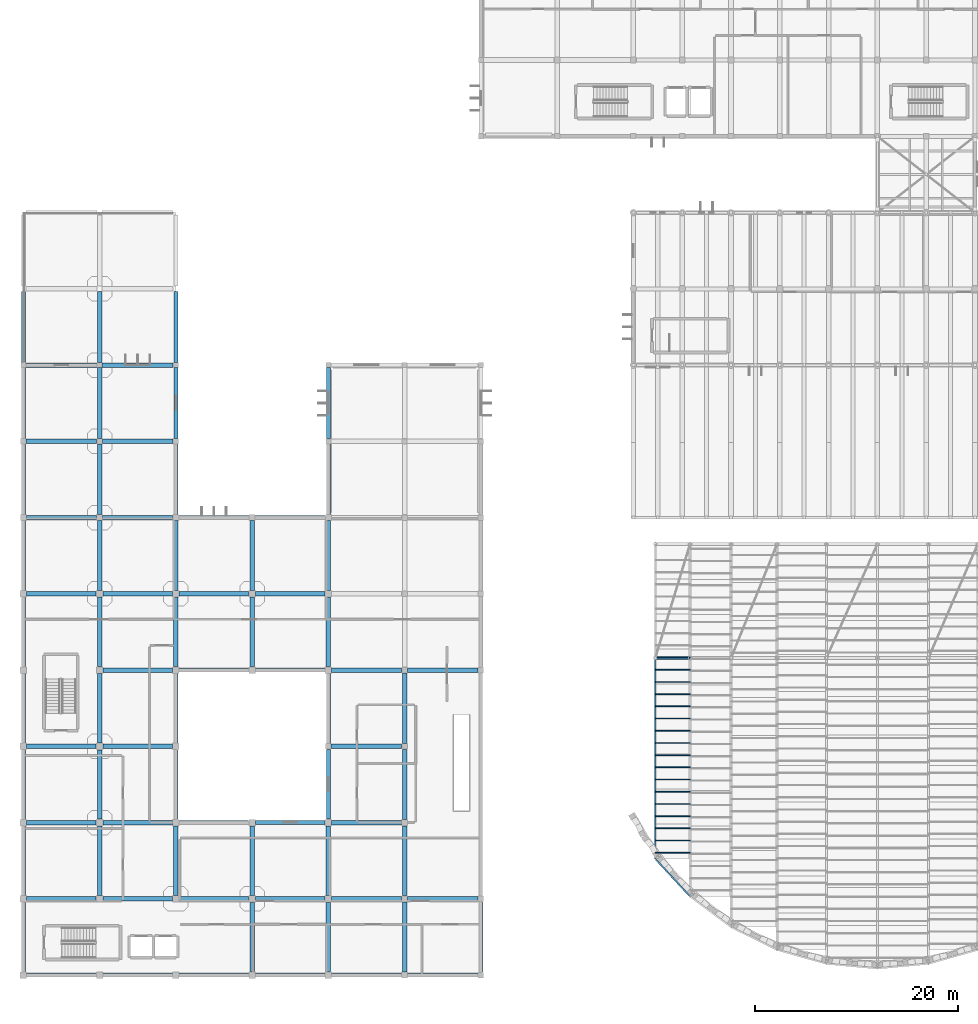
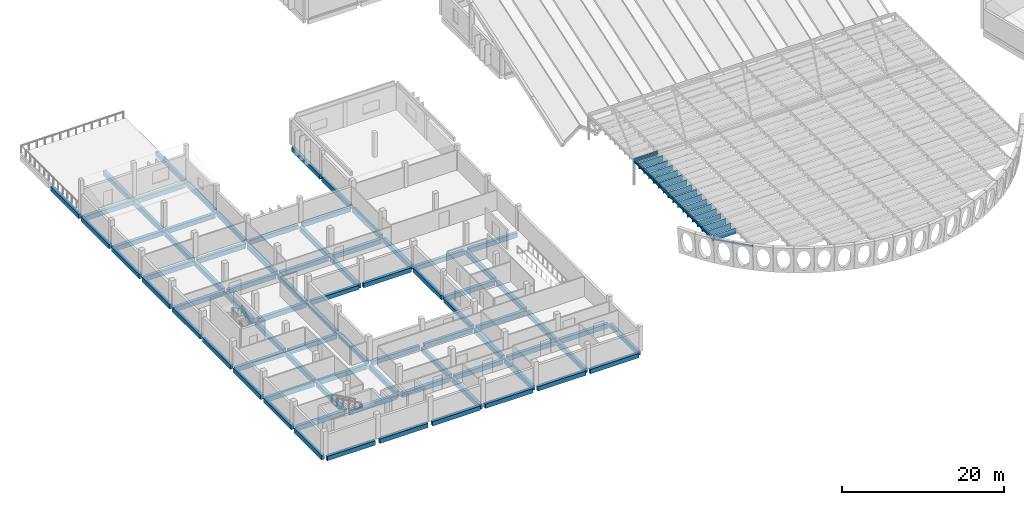
# One storey, part 12 of 47: 81 beams, 18 members.
"""IFC4 building model written with IfcOpenShell, lengths in metres."""

from ifc_helpers import new_model, si_unit, direction, frame, origin, origin_2d, place, context, subcontext, project, spatial, rectangle, hollow_rectangle, i_section, extrude, material, material_profile, profile_set, type_object, element, save


model = new_model("IFC4")

# Units and contexts
model_context = context("Model", 3, precision=1e-05, world=origin(), true_north=direction((0.0, 1.0)))
body_context = subcontext(model_context, "Body", "Model", "MODEL_VIEW")
ifc_project = project(units=[si_unit("LENGTHUNIT", "METRE"), si_unit("AREAUNIT", "SQUARE_METRE"), si_unit("VOLUMEUNIT", "CUBIC_METRE"), si_unit("PLANEANGLEUNIT", "RADIAN"), si_unit("MASSUNIT", "GRAM", prefix="KILO")], contexts=[model_context])

# Site, building, storey
site_placement = place(None, origin())
site = spatial("IfcSite", under=ifc_project, at=site_placement, CompositionType="ELEMENT")
building_placement = place(site_placement, origin())
building = spatial("IfcBuilding", under=site, at=building_placement, Name="Mawjan Specialist Oncology Clinic", CompositionType="ELEMENT")
storey_placement = place(building_placement, frame((0.0, 0.0, 9.5)))
storey = spatial("IfcBuildingStorey", under=building, at=storey_placement, Name="L02", CompositionType="ELEMENT", Elevation=9.5)

# Beams
ifc_material_1 = material(Name="Concrete C40/50", Category="concrete")
ifc_material_profile_1 = material_profile(ifc_material_1, rectangle(XDim=0.449951171875, YDim=0.699951171875, at=origin_2d()), Name="RC BM 450x700", Category="concrete")
ifc_profile_set_1 = profile_set([ifc_material_profile_1], Name="Concrete C40/50")
beam_type_1 = type_object("IfcBeamType", Name="BM-450x700", PredefinedType="BEAM", material=ifc_profile_set_1)
for number, where, z_axis, x_axis, name in (
    (1, (0.3349609375, 8.300048828125, -0.64990234375), (1.0, 0.0, 0.0), (0.0, 1.0, 0.0), "L02 Collector Beam BM-L02-0643"),
    (2, (7.8349609375, 8.300048828125, -0.8701171875), (1.0, 0.0, 0.0), (0.0, 1.0, 0.0), "L02 Collector Beam BM-L02-0644"),
    (3, (15.3349609375, 8.300048828125, -0.8701171875), (1.0, 0.0, 0.0), (0.0, 1.0, 0.0), "L02 Collector Beam BM-L02-0645"),
    (4, (22.8349609375, 8.300048828125, -0.8701171875), (1.0, 0.0, 0.0), (0.0, 1.0, 0.0), "L02 Collector Beam BM-L02-0646"),
):
    element("IfcBeam", number, at=place(storey_placement, frame(where, z_axis=z_axis, x_axis=x_axis)), inside=storey, type_object=beam_type_1, Name=name, PredefinedType="BEAM", context=body_context, shape_type="SweptSolid", body=[
        extrude(rectangle(XDim=0.449951171875, YDim=0.699951171875, at=origin_2d()), origin(), (0.0, 0.0, 1.0), 6.830078125),
    ])
beam_1_placement = place(storey_placement, frame((30.3349609375, 8.300048828125, -0.64990234375), z_axis=(1.0, 0.0, 0.0), x_axis=(0.0, 1.0, 0.0)))
element("IfcBeam", 5, at=beam_1_placement, inside=storey, type_object=beam_type_1, Name="L02 Collector Beam BM-L02-0647", PredefinedType="BEAM", context=body_context, shape_type="SweptSolid", body=[
    extrude(rectangle(XDim=0.449951171875, YDim=0.699951171875, at=origin_2d()), origin(), (0.0, 0.0, 1.0), 6.85498046875),
])
beam_2_placement = place(storey_placement, frame((37.81005859375, 8.300048828125, -0.64990234375), z_axis=(1.0, 0.0, 0.0), x_axis=(0.0, 1.0, 0.0)))
element("IfcBeam", 6, at=beam_2_placement, inside=storey, type_object=beam_type_1, Name="L02 Collector Beam BM-L02-0648", PredefinedType="BEAM", context=body_context, shape_type="SweptSolid", body=[
    extrude(rectangle(XDim=0.449951171875, YDim=0.699951171875, at=origin_2d()), origin(), (0.0, 0.0, 1.0), 6.905029296875),
])
for number, where, z_axis, x_axis, name in (
    (7, (0.3349609375, 15.800048828125, -0.8701171875), (1.0, 0.0, 0.0), (0.0, 1.0, 0.0), "L02 Collector Beam BM-L02-0649"),
    (8, (7.8349609375, 15.800048828125, -0.8701171875), (1.0, 0.0, 0.0), (0.0, 1.0, 0.0), "L02 Collector Beam BM-L02-0650"),
):
    element("IfcBeam", number, at=place(storey_placement, frame(where, z_axis=z_axis, x_axis=x_axis)), inside=storey, type_object=beam_type_1, Name=name, PredefinedType="BEAM", context=body_context, shape_type="SweptSolid", body=[
        extrude(rectangle(XDim=0.449951171875, YDim=0.699951171875, at=origin_2d()), origin(), (0.0, 0.0, 1.0), 6.830078125),
    ])
beam_3_placement = place(storey_placement, frame((30.3349609375, 15.800048828125, -0.64990234375), z_axis=(1.0, 0.0, 0.0), x_axis=(0.0, 1.0, 0.0)))
element("IfcBeam", 9, at=beam_3_placement, inside=storey, type_object=beam_type_1, Name="L02 Collector Beam BM-L02-0653", PredefinedType="BEAM", context=body_context, shape_type="SweptSolid", body=[
    extrude(rectangle(XDim=0.449951171875, YDim=0.699951171875, at=origin_2d()), origin(), (0.0, 0.0, 1.0), 6.85498046875),
])
for number, where, z_axis, x_axis, name in (
    (10, (0.3349609375, 23.300048828125, -0.8701171875), (1.0, 0.0, 0.0), (0.0, 1.0, 0.0), "L02 Collector Beam BM-L02-0654"),
    (11, (7.8349609375, 23.300048828125, -0.8701171875), (1.0, 0.0, 0.0), (0.0, 1.0, 0.0), "L02 Collector Beam BM-L02-0655"),
):
    element("IfcBeam", number, at=place(storey_placement, frame(where, z_axis=z_axis, x_axis=x_axis)), inside=storey, type_object=beam_type_1, Name=name, PredefinedType="BEAM", context=body_context, shape_type="SweptSolid", body=[
        extrude(rectangle(XDim=0.449951171875, YDim=0.699951171875, at=origin_2d()), origin(), (0.0, 0.0, 1.0), 6.830078125),
    ])
beam_4_placement = place(storey_placement, frame((30.284912109375, 23.300048828125, -0.64990234375), z_axis=(1.0, 0.0, 0.0), x_axis=(0.0, 1.0, 0.0)))
element("IfcBeam", 12, at=beam_4_placement, inside=storey, type_object=beam_type_1, Name="L02 Collector Beam BM-L02-0656", PredefinedType="BEAM", context=body_context, shape_type="SweptSolid", body=[
    extrude(rectangle(XDim=0.449951171875, YDim=0.699951171875, at=origin_2d()), origin(), (0.0, 0.0, 1.0), 6.93017578125),
])
beam_5_placement = place(storey_placement, frame((7.8349609375, 30.800048828125, -0.64990234375), z_axis=(1.0, 0.0, 0.0), x_axis=(0.0, 1.0, 0.0)))
element("IfcBeam", 13, at=beam_5_placement, inside=storey, type_object=beam_type_1, Name="L02 Collector Beam BM-L02-0657", PredefinedType="BEAM", context=body_context, shape_type="SweptSolid", body=[
    extrude(rectangle(XDim=0.449951171875, YDim=0.699951171875, at=origin_2d()), origin(), (0.0, 0.0, 1.0), 6.830078125),
])
beam_6_placement = place(storey_placement, frame((30.3349609375, 30.800048828125, -0.64990234375), z_axis=(1.0, 0.0, 0.0), x_axis=(0.0, 1.0, 0.0)))
element("IfcBeam", 14, at=beam_6_placement, inside=storey, type_object=beam_type_1, Name="L02 Collector Beam BM-L02-0660", PredefinedType="BEAM", context=body_context, shape_type="SweptSolid", body=[
    extrude(rectangle(XDim=0.449951171875, YDim=0.699951171875, at=origin_2d()), origin(), (0.0, 0.0, 1.0), 6.880126953125),
])
beam_7_placement = place(storey_placement, frame((37.784912109375, 30.800048828125, -0.64990234375), z_axis=(1.0, 0.0, 0.0), x_axis=(0.0, 1.0, 0.0)))
element("IfcBeam", 15, at=beam_7_placement, inside=storey, type_object=beam_type_1, Name="L02 Collector Beam BM-L02-0661", PredefinedType="BEAM", context=body_context, shape_type="SweptSolid", body=[
    extrude(rectangle(XDim=0.449951171875, YDim=0.699951171875, at=origin_2d()), origin(), (0.0, 0.0, 1.0), 6.93017578125),
])
for number, where, z_axis, x_axis, name in (
    (16, (0.3349609375, 38.300048828125, -0.8701171875), (1.0, 0.0, 0.0), (0.0, 1.0, 0.0), "L02 Collector Beam BM-L02-0662"),
    (17, (7.8349609375, 38.300048828125, -0.8701171875), (1.0, 0.0, 0.0), (0.0, 1.0, 0.0), "L02 Collector Beam BM-L02-0663"),
    (18, (15.3349609375, 38.300048828125, -0.8701171875), (1.0, 0.0, 0.0), (0.0, 1.0, 0.0), "L02 Collector Beam BM-L02-0664"),
    (19, (22.8349609375, 38.300048828125, -0.8701171875), (1.0, 0.0, 0.0), (0.0, 1.0, 0.0), "L02 Collector Beam BM-L02-0665"),
):
    element("IfcBeam", number, at=place(storey_placement, frame(where, z_axis=z_axis, x_axis=x_axis)), inside=storey, type_object=beam_type_1, Name=name, PredefinedType="BEAM", context=body_context, shape_type="SweptSolid", body=[
        extrude(rectangle(XDim=0.449951171875, YDim=0.699951171875, at=origin_2d()), origin(), (0.0, 0.0, 1.0), 6.830078125),
    ])
for number, where, z_axis, x_axis, name in (
    (20, (0.31005859375, 45.800048828125, -0.8701171875), (1.0, 0.0, 0.0), (0.0, 1.0, 0.0), "L02 Collector Beam BM-L02-0668"),
    (21, (7.81005859375, 45.800048828125, -0.8701171875), (1.0, 0.0, 0.0), (0.0, 1.0, 0.0), "L02 Collector Beam BM-L02-0669"),
):
    element("IfcBeam", number, at=place(storey_placement, frame(where, z_axis=z_axis, x_axis=x_axis)), inside=storey, type_object=beam_type_1, Name=name, PredefinedType="BEAM", context=body_context, shape_type="SweptSolid", body=[
        extrude(rectangle(XDim=0.449951171875, YDim=0.699951171875, at=origin_2d()), origin(), (0.0, 0.0, 1.0), 6.8798828125),
    ])
for number, where, z_axis, x_axis, name in (
    (22, (0.284912109375, 53.300048828125, -0.8701171875), (1.0, 0.0, 0.0), (0.0, 1.0, 0.0), "L02 Collector Beam BM-L02-0674"),
    (23, (7.784912109375, 53.300048828125, -0.8701171875), (1.0, 0.0, 0.0), (0.0, 1.0, 0.0), "L02 Collector Beam BM-L02-0675"),
):
    element("IfcBeam", number, at=place(storey_placement, frame(where, z_axis=z_axis, x_axis=x_axis)), inside=storey, type_object=beam_type_1, Name=name, PredefinedType="BEAM", context=body_context, shape_type="SweptSolid", body=[
        extrude(rectangle(XDim=0.449951171875, YDim=0.699951171875, at=origin_2d()), origin(), (0.0, 0.0, 1.0), 6.93017578125),
    ])
for number, where, z_axis, x_axis, name in (
    (24, (0.260009765625, 60.800048828125, -0.8701171875), (1.0, 0.0, 0.0), (0.0, 1.0, 0.0), "L02 Collector Beam BM-L02-0678"),
    (25, (7.760009765625, 60.800048828125, -0.8701171875), (1.0, 0.0, 0.0), (0.0, 1.0, 0.0), "L02 Collector Beam BM-L02-0679"),
):
    element("IfcBeam", number, at=place(storey_placement, frame(where, z_axis=z_axis, x_axis=x_axis)), inside=storey, type_object=beam_type_1, Name=name, PredefinedType="BEAM", context=body_context, shape_type="SweptSolid", body=[
        extrude(rectangle(XDim=0.449951171875, YDim=0.699951171875, at=origin_2d()), origin(), (0.0, 0.0, 1.0), 6.97998046875),
    ])
for number, where, z_axis, x_axis, name in (
    (26, (7.5, 8.635009765625, -0.8701171875), (0.0, 1.0, 0.0), (-1.0, 0.0, 0.0), "L02 Collector Beam BM-L02-0759"),
    (27, (7.5, 16.135009765625, -0.8701171875), (0.0, 1.0, 0.0), (-1.0, 0.0, 0.0), "L02 Collector Beam BM-L02-0760"),
    (28, (7.5, 23.635009765625, -0.8701171875), (0.0, 1.0, 0.0), (-1.0, 0.0, 0.0), "L02 Collector Beam BM-L02-0761"),
    (29, (7.5, 31.135009765625, -0.8701171875), (0.0, 1.0, 0.0), (-1.0, 0.0, 0.0), "L02 Collector Beam BM-L02-0762"),
):
    element("IfcBeam", number, at=place(storey_placement, frame(where, z_axis=z_axis, x_axis=x_axis)), inside=storey, type_object=beam_type_1, Name=name, PredefinedType="BEAM", context=body_context, shape_type="SweptSolid", body=[
        extrude(rectangle(XDim=0.449951171875, YDim=0.699951171875, at=origin_2d()), origin(), (0.0, 0.0, 1.0), 6.830078125),
    ])
beam_8_placement = place(storey_placement, frame((7.5, 38.635009765625, -0.8701171875), z_axis=(0.0, 1.0, 0.0), x_axis=(-1.0, 0.0, 0.0)))
element("IfcBeam", 30, at=beam_8_placement, inside=storey, type_object=beam_type_1, Name="L02 Collector Beam BM-L02-0763", PredefinedType="BEAM", context=body_context, shape_type="SweptSolid", body=[
    extrude(rectangle(XDim=0.449951171875, YDim=0.699951171875, at=origin_2d()), origin(), (0.0, 0.0, 1.0), 6.85498046875),
])
beam_9_placement = place(storey_placement, frame((7.5, 46.110107421875, -0.8701171875), z_axis=(0.0, 1.0, 0.0), x_axis=(-1.0, 0.0, 0.0)))
element("IfcBeam", 31, at=beam_9_placement, inside=storey, type_object=beam_type_1, Name="L02 Collector Beam BM-L02-0764", PredefinedType="BEAM", context=body_context, shape_type="SweptSolid", body=[
    extrude(rectangle(XDim=0.449951171875, YDim=0.699951171875, at=origin_2d()), origin(), (0.0, 0.0, 1.0), 6.90478515625),
])
beam_10_placement = place(storey_placement, frame((7.5, 53.5849609375, -0.8701171875), z_axis=(0.0, 1.0, 0.0), x_axis=(-1.0, 0.0, 0.0)))
element("IfcBeam", 32, at=beam_10_placement, inside=storey, type_object=beam_type_1, Name="L02 Collector Beam BM-L02-0765", PredefinedType="BEAM", context=body_context, shape_type="SweptSolid", body=[
    extrude(rectangle(XDim=0.449951171875, YDim=0.699951171875, at=origin_2d()), origin(), (0.0, 0.0, 1.0), 6.955078125),
])
beam_11_placement = place(storey_placement, frame((7.5, 61.06005859375, -0.8701171875), z_axis=(0.0, 1.0, 0.0), x_axis=(-1.0, 0.0, 0.0)))
element("IfcBeam", 33, at=beam_11_placement, inside=storey, type_object=beam_type_1, Name="L02 Collector Beam BM-L02-0766", PredefinedType="BEAM", context=body_context, shape_type="SweptSolid", body=[
    extrude(rectangle(XDim=0.449951171875, YDim=0.699951171875, at=origin_2d()), origin(), (0.0, 0.0, 1.0), 6.97998046875),
])
for number, where, z_axis, x_axis, name in (
    (34, (15.0, 8.635009765625, -0.8701171875), (0.0, 1.0, 0.0), (-1.0, 0.0, 0.0), "L02 Collector Beam BM-L02-0768"),
    (35, (15.0, 31.135009765625, -0.8701171875), (0.0, 1.0, 0.0), (-1.0, 0.0, 0.0), "L02 Collector Beam BM-L02-0771"),
):
    element("IfcBeam", number, at=place(storey_placement, frame(where, z_axis=z_axis, x_axis=x_axis)), inside=storey, type_object=beam_type_1, Name=name, PredefinedType="BEAM", context=body_context, shape_type="SweptSolid", body=[
        extrude(rectangle(XDim=0.449951171875, YDim=0.699951171875, at=origin_2d()), origin(), (0.0, 0.0, 1.0), 6.830078125),
    ])
beam_12_placement = place(storey_placement, frame((15.0, 38.635009765625, -0.8701171875), z_axis=(0.0, 1.0, 0.0), x_axis=(-1.0, 0.0, 0.0)))
element("IfcBeam", 36, at=beam_12_placement, inside=storey, type_object=beam_type_1, Name="L02 Collector Beam BM-L02-0772", PredefinedType="BEAM", context=body_context, shape_type="SweptSolid", body=[
    extrude(rectangle(XDim=0.449951171875, YDim=0.699951171875, at=origin_2d()), origin(), (0.0, 0.0, 1.0), 6.85498046875),
])
for number, where, z_axis, x_axis, name in (
    (37, (22.5, 1.135009765625, -0.8701171875), (0.0, 1.0, 0.0), (-1.0, 0.0, 0.0), "L02 Collector Beam BM-L02-0777"),
    (38, (22.5, 8.635009765625, -0.8701171875), (0.0, 1.0, 0.0), (-1.0, 0.0, 0.0), "L02 Collector Beam BM-L02-0778"),
    (39, (22.5, 31.135009765625, -0.8701171875), (0.0, 1.0, 0.0), (-1.0, 0.0, 0.0), "L02 Collector Beam BM-L02-0779"),
):
    element("IfcBeam", number, at=place(storey_placement, frame(where, z_axis=z_axis, x_axis=x_axis)), inside=storey, type_object=beam_type_1, Name=name, PredefinedType="BEAM", context=body_context, shape_type="SweptSolid", body=[
        extrude(rectangle(XDim=0.449951171875, YDim=0.699951171875, at=origin_2d()), origin(), (0.0, 0.0, 1.0), 6.830078125),
    ])
beam_13_placement = place(storey_placement, frame((22.5, 38.635009765625, -0.8701171875), z_axis=(0.0, 1.0, 0.0), x_axis=(-1.0, 0.0, 0.0)))
element("IfcBeam", 40, at=beam_13_placement, inside=storey, type_object=beam_type_1, Name="L02 Collector Beam BM-L02-0780", PredefinedType="BEAM", context=body_context, shape_type="SweptSolid", body=[
    extrude(rectangle(XDim=0.449951171875, YDim=0.699951171875, at=origin_2d()), origin(), (0.0, 0.0, 1.0), 6.85498046875),
])
for number, where, z_axis, x_axis, name in (
    (41, (30.0, 1.135009765625, -0.64990234375), (0.0, 1.0, 0.0), (-1.0, 0.0, 0.0), "L02 Collector Beam BM-L02-0781"),
    (42, (30.0, 8.635009765625, -0.64990234375), (0.0, 1.0, 0.0), (-1.0, 0.0, 0.0), "L02 Collector Beam BM-L02-0782"),
    (43, (30.0, 31.135009765625, -0.64990234375), (0.0, 1.0, 0.0), (-1.0, 0.0, 0.0), "L02 Collector Beam BM-L02-0785"),
):
    element("IfcBeam", number, at=place(storey_placement, frame(where, z_axis=z_axis, x_axis=x_axis)), inside=storey, type_object=beam_type_1, Name=name, PredefinedType="BEAM", context=body_context, shape_type="SweptSolid", body=[
        extrude(rectangle(XDim=0.449951171875, YDim=0.699951171875, at=origin_2d()), origin(), (0.0, 0.0, 1.0), 6.830078125),
    ])
beam_14_placement = place(storey_placement, frame((30.0, 38.635009765625, -0.64990234375), z_axis=(0.0, 1.0, 0.0), x_axis=(-1.0, 0.0, 0.0)))
element("IfcBeam", 44, at=beam_14_placement, inside=storey, type_object=beam_type_1, Name="L02 Collector Beam BM-L02-0786", PredefinedType="BEAM", context=body_context, shape_type="SweptSolid", body=[
    extrude(rectangle(XDim=0.449951171875, YDim=0.699951171875, at=origin_2d()), origin(), (0.0, 0.0, 1.0), 6.85498046875),
])
for number, where, z_axis, x_axis, name in (
    (45, (37.5, 1.110107421875, -0.64990234375), (0.0, 1.0, 0.0), (-1.0, 0.0, 0.0), "L02 Collector Beam BM-L02-0789"),
    (46, (37.5, 8.610107421875, -0.64990234375), (0.0, 1.0, 0.0), (-1.0, 0.0, 0.0), "L02 Collector Beam BM-L02-0790"),
):
    element("IfcBeam", number, at=place(storey_placement, frame(where, z_axis=z_axis, x_axis=x_axis)), inside=storey, type_object=beam_type_1, Name=name, PredefinedType="BEAM", context=body_context, shape_type="SweptSolid", body=[
        extrude(rectangle(XDim=0.449951171875, YDim=0.699951171875, at=origin_2d()), origin(), (0.0, 0.0, 1.0), 6.8798828125),
    ])
beam_15_placement = place(storey_placement, frame((37.5, 16.110107421875, -0.64990234375), z_axis=(0.0, 1.0, 0.0), x_axis=(-1.0, 0.0, 0.0)))
element("IfcBeam", 47, at=beam_15_placement, inside=storey, type_object=beam_type_1, Name="L02 Collector Beam BM-L02-0791", PredefinedType="BEAM", context=body_context, shape_type="SweptSolid", body=[
    extrude(rectangle(XDim=0.449951171875, YDim=0.699951171875, at=origin_2d()), origin(), (0.0, 0.0, 1.0), 6.90478515625),
])
beam_16_placement = place(storey_placement, frame((37.5, 23.5849609375, -0.64990234375), z_axis=(0.0, 1.0, 0.0), x_axis=(-1.0, 0.0, 0.0)))
element("IfcBeam", 48, at=beam_16_placement, inside=storey, type_object=beam_type_1, Name="L02 Collector Beam BM-L02-0792", PredefinedType="BEAM", context=body_context, shape_type="SweptSolid", body=[
    extrude(rectangle(XDim=0.449951171875, YDim=0.699951171875, at=origin_2d()), origin(), (0.0, 0.0, 1.0), 6.929931640625),
])

# Members
ifc_material_2 = material(Name="Structural steel S355", Category="steel")
ifc_material_profile_2 = material_profile(ifc_material_2, hollow_rectangle(XDim=0.14990234375, YDim=0.25, WallThickness=0.010009765625, at=origin_2d()), Name="RHS 250x150x10", Category="steel")
ifc_profile_set_2 = profile_set([ifc_material_profile_2], Name="Structural steel S355")
member_type_1 = type_object("IfcMemberType", Name="CH-RHS250", PredefinedType="CHORD", material=ifc_profile_set_2)
member_placement = place(storey_placement, frame((62.152587890625, 12.23583984375, 3.77490234375), z_axis=(0.678803068551, -0.734320362053, 0.0), x_axis=(0.734320362053, 0.678803068551, 0.0)))
element("IfcMember", 49, at=member_placement, inside=storey, type_object=member_type_1, Name="Canopy Edge Tie Chord MEM-CAN-CH-001", PredefinedType="CHORD", context=body_context, shape_type="SweptSolid", body=[
    extrude(hollow_rectangle(XDim=0.14990234375, YDim=0.25, WallThickness=0.010009765625, at=origin_2d()), origin(), (0.0, 0.0, 1.0), 5.03955078125),
])
ifc_material_3 = material(Name="Structural steel S355", Category="steel")
ifc_material_profile_3 = material_profile(ifc_material_3, hollow_rectangle(XDim=0.080078125, YDim=0.85009765625, WallThickness=0.006103515625, at=origin_2d()), Name="LOUVRE 850x80x6", Category="steel")
ifc_profile_set_3 = profile_set([ifc_material_profile_3], Name="Structural steel S355")
member_type_2 = type_object("IfcMemberType", Name="LV-850", PredefinedType="PURLIN", material=ifc_profile_set_3)
for number, where, z_axis, x_axis, name in (
    (50, (62.152587890625, 12.8359375, 3.47509765625), (1.0, 0.0, 0.0), (0.0, 1.0, 0.0), "Canopy Solar Louvre Blade LV-0001"),
    (51, (62.152587890625, 14.035888671875, 3.47509765625), (1.0, 0.0, 0.0), (0.0, 1.0, 0.0), "Canopy Solar Louvre Blade LV-0002"),
    (52, (62.152587890625, 15.23583984375, 3.47509765625), (1.0, 0.0, 0.0), (0.0, 1.0, 0.0), "Canopy Solar Louvre Blade LV-0003"),
    (53, (62.152587890625, 16.435791015625, 3.47509765625), (1.0, 0.0, 0.0), (0.0, 1.0, 0.0), "Canopy Solar Louvre Blade LV-0004"),
    (54, (62.152587890625, 17.6357421875, 3.47509765625), (1.0, 0.0, 0.0), (0.0, 1.0, 0.0), "Canopy Solar Louvre Blade LV-0005"),
    (55, (62.152587890625, 18.8359375, 3.47509765625), (1.0, 0.0, 0.0), (0.0, 1.0, 0.0), "Canopy Solar Louvre Blade LV-0006"),
    (56, (62.152587890625, 20.035888671875, 3.47509765625), (1.0, 0.0, 0.0), (0.0, 1.0, 0.0), "Canopy Solar Louvre Blade LV-0007"),
    (57, (62.152587890625, 21.23583984375, 3.47509765625), (1.0, 0.0, 0.0), (0.0, 1.0, 0.0), "Canopy Solar Louvre Blade LV-0008"),
    (58, (62.152587890625, 22.435791015625, 3.47509765625), (1.0, 0.0, 0.0), (0.0, 1.0, 0.0), "Canopy Solar Louvre Blade LV-0009"),
    (59, (62.152587890625, 23.6357421875, 3.47509765625), (1.0, 0.0, 0.0), (0.0, 1.0, 0.0), "Canopy Solar Louvre Blade LV-0010"),
    (60, (62.152587890625, 24.8359375, 3.47509765625), (1.0, 0.0, 0.0), (0.0, 1.0, 0.0), "Canopy Solar Louvre Blade LV-0011"),
    (61, (62.152587890625, 26.035888671875, 3.47509765625), (1.0, 0.0, 0.0), (0.0, 1.0, 0.0), "Canopy Solar Louvre Blade LV-0012"),
    (62, (62.152587890625, 27.23583984375, 3.47509765625), (1.0, 0.0, 0.0), (0.0, 1.0, 0.0), "Canopy Solar Louvre Blade LV-0013"),
    (63, (62.152587890625, 28.435791015625, 3.47509765625), (1.0, 0.0, 0.0), (0.0, 1.0, 0.0), "Canopy Solar Louvre Blade LV-0014"),
    (64, (62.152587890625, 29.6357421875, 3.47509765625), (1.0, 0.0, 0.0), (0.0, 1.0, 0.0), "Canopy Solar Louvre Blade LV-0015"),
    (65, (62.152587890625, 30.8359375, 3.47509765625), (1.0, 0.0, 0.0), (0.0, 1.0, 0.0), "Canopy Solar Louvre Blade LV-0016"),
    (66, (62.152587890625, 32.035888671875, 3.47509765625), (1.0, 0.0, 0.0), (0.0, 1.0, 0.0), "Canopy Solar Louvre Blade LV-0017"),
):
    element("IfcMember", number, at=place(storey_placement, frame(where, z_axis=z_axis, x_axis=x_axis)), inside=storey, type_object=member_type_2, Name=name, PredefinedType="PURLIN", context=body_context, shape_type="SweptSolid", body=[
        extrude(hollow_rectangle(XDim=0.080078125, YDim=0.85009765625, WallThickness=0.006103515625, at=origin_2d()), origin(), (0.0, 0.0, 1.0), 3.4208984375),
    ])

# Beams
ifc_material_4 = material(Name="Structural steel S355", Category="steel")
ifc_material_profile_4 = material_profile(ifc_material_4, i_section(OverallWidth=0.300048828125, OverallDepth=0.35009765625, WebThickness=0.010009765625, FlangeThickness=0.017578125, FilletRadius=0.027099609375, at=origin_2d()), Name="HEA 360", Category="steel")
ifc_profile_set_4 = profile_set([ifc_material_profile_4], Name="Structural steel S355")
beam_type_2 = type_object("IfcBeamType", Name="SB-HEA360", PredefinedType="BEAM", material=ifc_profile_set_4)
beam_17_placement = place(storey_placement, frame((62.152587890625, 32.0, 3.699951171875), z_axis=(1.0, 0.0, 0.0), x_axis=(0.0, 1.0, 0.0)))
element("IfcBeam", 67, at=beam_17_placement, inside=storey, type_object=beam_type_2, Name="Courtyard Canopy Spine Girder 62", PredefinedType="BEAM", context=body_context, shape_type="SweptSolid", body=[
    extrude(i_section(OverallWidth=0.300048828125, OverallDepth=0.35009765625, WebThickness=0.010009765625, FlangeThickness=0.017578125, FilletRadius=0.027099609375, at=origin_2d()), origin(), (0.0, 0.0, 1.0), 3.4208984375),
])
ifc_material_5 = material(Name="Structural steel S355", Category="steel")
ifc_material_profile_5 = material_profile(ifc_material_5, i_section(OverallWidth=0.179931640625, OverallDepth=0.39990234375, WebThickness=0.008544921875, FlangeThickness=0.013427734375, FilletRadius=0.02099609375, at=origin_2d()), Name="IPE 400", Category="steel")
ifc_profile_set_5 = profile_set([ifc_material_profile_5], Name="Structural steel S355")
beam_type_3 = type_object("IfcBeamType", Name="SB-IPE400", PredefinedType="BEAM", material=ifc_profile_set_5)
beam_18_placement = place(storey_placement, frame((62.152587890625, 12.23583984375, 3.699951171875), z_axis=(0.0, 1.0, 0.0), x_axis=(-1.0, 0.0, 0.0)))
element("IfcBeam", 68, at=beam_18_placement, inside=storey, type_object=beam_type_3, Name="Courtyard Canopy South Rafter CRS-01", PredefinedType="BEAM", context=body_context, shape_type="SweptSolid", body=[
    extrude(i_section(OverallWidth=0.179931640625, OverallDepth=0.39990234375, WebThickness=0.008544921875, FlangeThickness=0.013427734375, FilletRadius=0.02099609375, at=origin_2d()), origin(), (0.0, 0.0, 1.0), 19.76416015625),
])
ifc_material_6 = material(Name="Concrete C45/55", Category="concrete")
ifc_material_profile_6 = material_profile(ifc_material_6, rectangle(XDim=0.39990234375, YDim=0.64990234375, at=origin_2d()), Name="RC BM 400x650", Category="concrete")
ifc_profile_set_6 = profile_set([ifc_material_profile_6], Name="Concrete C45/55")
beam_type_4 = type_object("IfcBeamType", Name="SP-400x650", PredefinedType="SPANDREL", material=ifc_profile_set_6)
for number, where, z_axis, x_axis, name in (
    (69, (0.3349609375, 0.800048828125, -0.625), (1.0, 0.0, 0.0), (0.0, 1.0, 0.0), "L02 Spandrel Beam BM-L02-0637"),
    (70, (7.8349609375, 0.800048828125, -0.625), (1.0, 0.0, 0.0), (0.0, 1.0, 0.0), "L02 Spandrel Beam BM-L02-0638"),
    (71, (15.3349609375, 0.800048828125, -0.625), (1.0, 0.0, 0.0), (0.0, 1.0, 0.0), "L02 Spandrel Beam BM-L02-0639"),
    (72, (22.8349609375, 0.800048828125, -0.625), (1.0, 0.0, 0.0), (0.0, 1.0, 0.0), "L02 Spandrel Beam BM-L02-0640"),
):
    element("IfcBeam", number, at=place(storey_placement, frame(where, z_axis=z_axis, x_axis=x_axis)), inside=storey, type_object=beam_type_4, Name=name, PredefinedType="SPANDREL", context=body_context, shape_type="SweptSolid", body=[
        extrude(rectangle(XDim=0.39990234375, YDim=0.64990234375, at=origin_2d()), origin(), (0.0, 0.0, 1.0), 6.830078125),
    ])
beam_19_placement = place(storey_placement, frame((30.3349609375, 0.800048828125, -0.625), z_axis=(1.0, 0.0, 0.0), x_axis=(0.0, 1.0, 0.0)))
element("IfcBeam", 73, at=beam_19_placement, inside=storey, type_object=beam_type_4, Name="L02 Spandrel Beam BM-L02-0641", PredefinedType="SPANDREL", context=body_context, shape_type="SweptSolid", body=[
    extrude(rectangle(XDim=0.39990234375, YDim=0.64990234375, at=origin_2d()), origin(), (0.0, 0.0, 1.0), 6.85498046875),
])
beam_20_placement = place(storey_placement, frame((37.81005859375, 0.800048828125, -0.625), z_axis=(1.0, 0.0, 0.0), x_axis=(0.0, 1.0, 0.0)))
element("IfcBeam", 74, at=beam_20_placement, inside=storey, type_object=beam_type_4, Name="L02 Spandrel Beam BM-L02-0642", PredefinedType="SPANDREL", context=body_context, shape_type="SweptSolid", body=[
    extrude(rectangle(XDim=0.39990234375, YDim=0.64990234375, at=origin_2d()), origin(), (0.0, 0.0, 1.0), 6.905029296875),
])
for number, where, z_axis, x_axis, name in (
    (75, (15.3349609375, 15.800048828125, -0.625), (1.0, 0.0, 0.0), (0.0, 1.0, 0.0), "L02 Spandrel Beam BM-L02-0651"),
    (76, (22.8349609375, 15.800048828125, -0.625), (1.0, 0.0, 0.0), (0.0, 1.0, 0.0), "L02 Spandrel Beam BM-L02-0652"),
    (77, (15.3349609375, 30.800048828125, -0.625), (1.0, 0.0, 0.0), (0.0, 1.0, 0.0), "L02 Spandrel Beam BM-L02-0658"),
    (78, (22.8349609375, 30.800048828125, -0.625), (1.0, 0.0, 0.0), (0.0, 1.0, 0.0), "L02 Spandrel Beam BM-L02-0659"),
):
    element("IfcBeam", number, at=place(storey_placement, frame(where, z_axis=z_axis, x_axis=x_axis)), inside=storey, type_object=beam_type_4, Name=name, PredefinedType="SPANDREL", context=body_context, shape_type="SweptSolid", body=[
        extrude(rectangle(XDim=0.39990234375, YDim=0.64990234375, at=origin_2d()), origin(), (0.0, 0.0, 1.0), 6.830078125),
    ])
for number, where, z_axis, x_axis, name in (
    (79, (15.31005859375, 45.800048828125, -0.625), (1.0, 0.0, 0.0), (0.0, 1.0, 0.0), "L02 Spandrel Beam BM-L02-0670"),
    (80, (22.81005859375, 45.800048828125, -0.625), (1.0, 0.0, 0.0), (0.0, 1.0, 0.0), "L02 Spandrel Beam BM-L02-0671"),
):
    element("IfcBeam", number, at=place(storey_placement, frame(where, z_axis=z_axis, x_axis=x_axis)), inside=storey, type_object=beam_type_4, Name=name, PredefinedType="SPANDREL", context=body_context, shape_type="SweptSolid", body=[
        extrude(rectangle(XDim=0.39990234375, YDim=0.64990234375, at=origin_2d()), origin(), (0.0, 0.0, 1.0), 6.8798828125),
    ])
for number, where, z_axis, x_axis, name in (
    (81, (0.0, 1.135009765625, -0.625), (0.0, 1.0, 0.0), (-1.0, 0.0, 0.0), "L02 Spandrel Beam BM-L02-0749"),
    (82, (0.0, 8.635009765625, -0.625), (0.0, 1.0, 0.0), (-1.0, 0.0, 0.0), "L02 Spandrel Beam BM-L02-0750"),
    (83, (0.0, 16.135009765625, -0.625), (0.0, 1.0, 0.0), (-1.0, 0.0, 0.0), "L02 Spandrel Beam BM-L02-0751"),
    (84, (0.0, 23.635009765625, -0.625), (0.0, 1.0, 0.0), (-1.0, 0.0, 0.0), "L02 Spandrel Beam BM-L02-0752"),
    (85, (0.0, 31.135009765625, -0.625), (0.0, 1.0, 0.0), (-1.0, 0.0, 0.0), "L02 Spandrel Beam BM-L02-0753"),
):
    element("IfcBeam", number, at=place(storey_placement, frame(where, z_axis=z_axis, x_axis=x_axis)), inside=storey, type_object=beam_type_4, Name=name, PredefinedType="SPANDREL", context=body_context, shape_type="SweptSolid", body=[
        extrude(rectangle(XDim=0.39990234375, YDim=0.64990234375, at=origin_2d()), origin(), (0.0, 0.0, 1.0), 6.830078125),
    ])
beam_21_placement = place(storey_placement, frame((0.0, 38.635009765625, -0.625), z_axis=(0.0, 1.0, 0.0), x_axis=(-1.0, 0.0, 0.0)))
element("IfcBeam", 86, at=beam_21_placement, inside=storey, type_object=beam_type_4, Name="L02 Spandrel Beam BM-L02-0754", PredefinedType="SPANDREL", context=body_context, shape_type="SweptSolid", body=[
    extrude(rectangle(XDim=0.39990234375, YDim=0.64990234375, at=origin_2d()), origin(), (0.0, 0.0, 1.0), 6.85498046875),
])
beam_22_placement = place(storey_placement, frame((0.0, 46.110107421875, -0.625), z_axis=(0.0, 1.0, 0.0), x_axis=(-1.0, 0.0, 0.0)))
element("IfcBeam", 87, at=beam_22_placement, inside=storey, type_object=beam_type_4, Name="L02 Spandrel Beam BM-L02-0755", PredefinedType="SPANDREL", context=body_context, shape_type="SweptSolid", body=[
    extrude(rectangle(XDim=0.39990234375, YDim=0.64990234375, at=origin_2d()), origin(), (0.0, 0.0, 1.0), 6.90478515625),
])
beam_23_placement = place(storey_placement, frame((0.0, 53.5849609375, -0.625), z_axis=(0.0, 1.0, 0.0), x_axis=(-1.0, 0.0, 0.0)))
element("IfcBeam", 88, at=beam_23_placement, inside=storey, type_object=beam_type_4, Name="L02 Spandrel Beam BM-L02-0756", PredefinedType="SPANDREL", context=body_context, shape_type="SweptSolid", body=[
    extrude(rectangle(XDim=0.39990234375, YDim=0.64990234375, at=origin_2d()), origin(), (0.0, 0.0, 1.0), 6.955078125),
])
beam_24_placement = place(storey_placement, frame((0.0, 61.06005859375, -0.625), z_axis=(0.0, 1.0, 0.0), x_axis=(-1.0, 0.0, 0.0)))
element("IfcBeam", 89, at=beam_24_placement, inside=storey, type_object=beam_type_4, Name="L02 Spandrel Beam BM-L02-0757", PredefinedType="SPANDREL", context=body_context, shape_type="SweptSolid", body=[
    extrude(rectangle(XDim=0.39990234375, YDim=0.64990234375, at=origin_2d()), origin(), (0.0, 0.0, 1.0), 6.97998046875),
])
for number, where, z_axis, x_axis, name in (
    (90, (15.0, 16.135009765625, -0.625), (0.0, 1.0, 0.0), (-1.0, 0.0, 0.0), "L02 Spandrel Beam BM-L02-0769"),
    (91, (15.0, 23.635009765625, -0.625), (0.0, 1.0, 0.0), (-1.0, 0.0, 0.0), "L02 Spandrel Beam BM-L02-0770"),
):
    element("IfcBeam", number, at=place(storey_placement, frame(where, z_axis=z_axis, x_axis=x_axis)), inside=storey, type_object=beam_type_4, Name=name, PredefinedType="SPANDREL", context=body_context, shape_type="SweptSolid", body=[
        extrude(rectangle(XDim=0.39990234375, YDim=0.64990234375, at=origin_2d()), origin(), (0.0, 0.0, 1.0), 6.830078125),
    ])
beam_25_placement = place(storey_placement, frame((15.0, 46.110107421875, -0.625), z_axis=(0.0, 1.0, 0.0), x_axis=(-1.0, 0.0, 0.0)))
element("IfcBeam", 92, at=beam_25_placement, inside=storey, type_object=beam_type_4, Name="L02 Spandrel Beam BM-L02-0773", PredefinedType="SPANDREL", context=body_context, shape_type="SweptSolid", body=[
    extrude(rectangle(XDim=0.39990234375, YDim=0.64990234375, at=origin_2d()), origin(), (0.0, 0.0, 1.0), 6.90478515625),
])
beam_26_placement = place(storey_placement, frame((15.0, 53.5849609375, -0.625), z_axis=(0.0, 1.0, 0.0), x_axis=(-1.0, 0.0, 0.0)))
element("IfcBeam", 93, at=beam_26_placement, inside=storey, type_object=beam_type_4, Name="L02 Spandrel Beam BM-L02-0774", PredefinedType="SPANDREL", context=body_context, shape_type="SweptSolid", body=[
    extrude(rectangle(XDim=0.39990234375, YDim=0.64990234375, at=origin_2d()), origin(), (0.0, 0.0, 1.0), 6.955078125),
])
beam_27_placement = place(storey_placement, frame((15.0, 61.06005859375, -0.625), z_axis=(0.0, 1.0, 0.0), x_axis=(-1.0, 0.0, 0.0)))
element("IfcBeam", 94, at=beam_27_placement, inside=storey, type_object=beam_type_4, Name="L02 Spandrel Beam BM-L02-0775", PredefinedType="SPANDREL", context=body_context, shape_type="SweptSolid", body=[
    extrude(rectangle(XDim=0.39990234375, YDim=0.64990234375, at=origin_2d()), origin(), (0.0, 0.0, 1.0), 6.97998046875),
])
beam_28_placement = place(storey_placement, frame((30.0, 16.135009765625, -0.625), z_axis=(0.0, 1.0, 0.0), x_axis=(-1.0, 0.0, 0.0)))
element("IfcBeam", 95, at=beam_28_placement, inside=storey, type_object=beam_type_4, Name="L02 Spandrel Beam BM-L02-0783", PredefinedType="SPANDREL", context=body_context, shape_type="SweptSolid", body=[
    extrude(rectangle(XDim=0.39990234375, YDim=0.64990234375, at=origin_2d()), origin(), (0.0, 0.0, 1.0), 6.8798828125),
])
beam_29_placement = place(storey_placement, frame((30.0, 23.5849609375, -0.625), z_axis=(0.0, 1.0, 0.0), x_axis=(-1.0, 0.0, 0.0)))
element("IfcBeam", 96, at=beam_29_placement, inside=storey, type_object=beam_type_4, Name="L02 Spandrel Beam BM-L02-0784", PredefinedType="SPANDREL", context=body_context, shape_type="SweptSolid", body=[
    extrude(rectangle(XDim=0.39990234375, YDim=0.64990234375, at=origin_2d()), origin(), (0.0, 0.0, 1.0), 6.880126953125),
])
beam_30_placement = place(storey_placement, frame((30.0, 46.110107421875, -0.625), z_axis=(0.0, 1.0, 0.0), x_axis=(-1.0, 0.0, 0.0)))
element("IfcBeam", 97, at=beam_30_placement, inside=storey, type_object=beam_type_4, Name="L02 Spandrel Beam BM-L02-0787", PredefinedType="SPANDREL", context=body_context, shape_type="SweptSolid", body=[
    extrude(rectangle(XDim=0.39990234375, YDim=0.64990234375, at=origin_2d()), origin(), (0.0, 0.0, 1.0), 6.929931640625),
])
beam_31_placement = place(storey_placement, frame((30.0, 53.56005859375, -0.625), z_axis=(0.0, 1.0, 0.0), x_axis=(-1.0, 0.0, 0.0)))
element("IfcBeam", 98, at=beam_31_placement, inside=storey, type_object=beam_type_4, Name="L02 Spandrel Beam BM-L02-0788", PredefinedType="SPANDREL", context=body_context, shape_type="SweptSolid", body=[
    extrude(rectangle(XDim=0.39990234375, YDim=0.64990234375, at=origin_2d()), origin(), (0.0, 0.0, 1.0), 6.97998046875),
])
beam_32_placement = place(storey_placement, frame((45.0, 1.0849609375, -0.625), z_axis=(0.0, 1.0, 0.0), x_axis=(-1.0, 0.0, 0.0)))
element("IfcBeam", 99, at=beam_32_placement, inside=storey, type_object=beam_type_4, Name="L02 Spandrel Beam BM-L02-0797", PredefinedType="SPANDREL", context=body_context, shape_type="SweptSolid", body=[
    extrude(rectangle(XDim=0.39990234375, YDim=0.64990234375, at=origin_2d()), origin(), (0.0, 0.0, 1.0), 6.929931640625),
])

save(model, "model.ifc")
